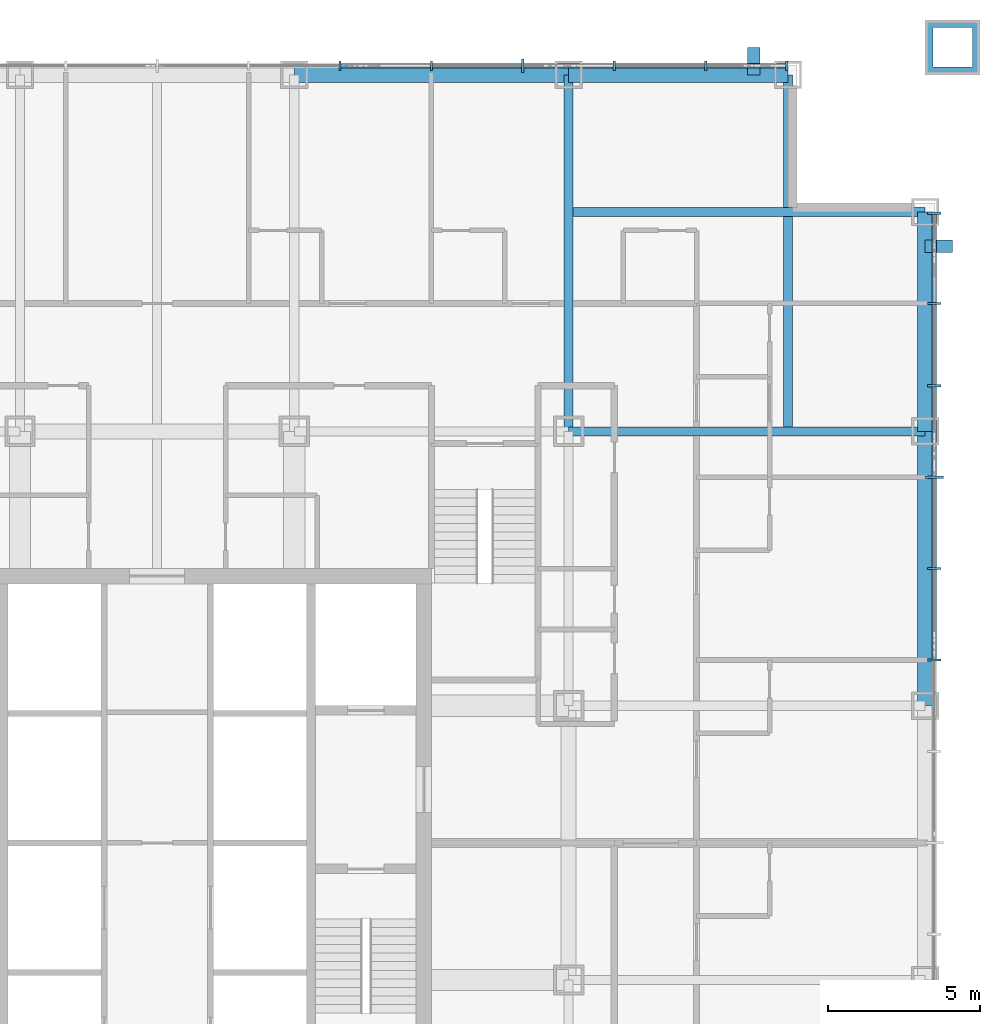
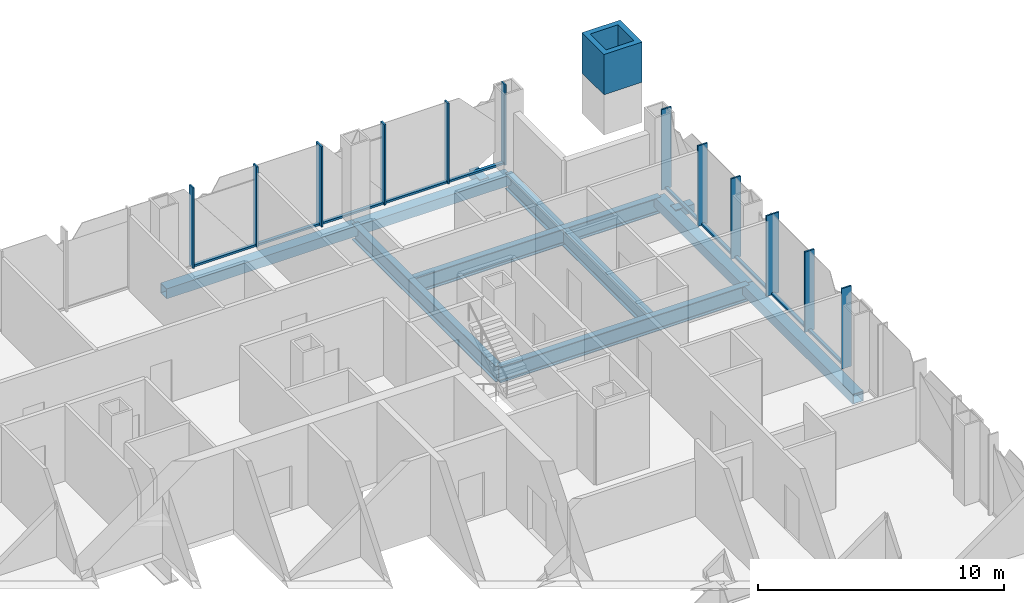
# One storey, part 5 of 23: 25 members, 8 beams, 2 elements without a shape of their own.
"""IFC4 building model written with IfcOpenShell, lengths in metres."""

import ifcopenshell
import ifcopenshell.guid

model = None  # the IFC model being written
_history = None  # IfcOwnerHistory: only IFC2X3 demands one
_inside = {}  # id of a spatial element -> (the spatial element, [elements in it])
_under = {}  # id of a project, library or spatial element -> (it, [spatial elements below it])
_declared = {}  # id of a project -> (the project, [libraries it declares])
_typed = {}  # id of a type object -> (the type object, [elements of that type])
_made_of = {}  # id of a material, layer set ... -> (it, [elements and type objects made of it])


def new_model(schema):
    """Start an empty IFC model of exactly this schema.

    Asked for "IFC4X3", IfcOpenShell would pick the latest addendum, in which some entities
    have other attributes; the version numbers below select the first issue.
    IFC2X3 requires an IfcOwnerHistory on every rooted entity: one is made here for all.
    """
    global model, _history
    if schema == "IFC4X3":
        model = ifcopenshell.file(schema_version=(4, 3, 0, 0))
    else:
        model = ifcopenshell.file(schema=schema)
    _inside.clear()
    _under.clear()
    _declared.clear()
    _typed.clear()
    _made_of.clear()
    _history = None
    if model.schema == "IFC2X3":
        org = make("IfcOrganization", Name="unknown")
        user = make(
            "IfcPersonAndOrganization",
            ThePerson=make("IfcPerson", FamilyName="unknown"),
            TheOrganization=org,
        )
        app = make(
            "IfcApplication",
            ApplicationDeveloper=org,
            Version="unknown",
            ApplicationFullName="unknown",
            ApplicationIdentifier="unknown",
        )
        _history = make(
            "IfcOwnerHistory",
            OwningUser=user,
            OwningApplication=app,
            ChangeAction="ADDED",
            CreationDate=0,
        )
    return model


def make(cls, **values):
    """One entity of the class cls with the attributes given. An attribute that is None is left unset."""
    return model.create_entity(
        cls, **{name: value for name, value in values.items() if value is not None}
    )


def rooted(cls, **values):
    """An entity with a GlobalId (a new one), such as an element, a storey or a relation."""
    return make(cls, GlobalId=ifcopenshell.guid.new(), OwnerHistory=_history, **values)


def si_unit(unit_type, name, prefix=None):
    """IfcSIUnit, for example si_unit("LENGTHUNIT", "METRE", prefix="MILLI")."""
    return make("IfcSIUnit", UnitType=unit_type, Prefix=prefix, Name=name)


def assignment(units):
    """IfcUnitAssignment: the units of a project."""
    return None if units is None else make("IfcUnitAssignment", Units=units)


def point(xyz):
    """IfcCartesianPoint."""
    return None if xyz is None else make("IfcCartesianPoint", Coordinates=xyz)


def direction(xyz):
    """IfcDirection."""
    return None if xyz is None else make("IfcDirection", DirectionRatios=xyz)


def frame(location, z_axis=None, x_axis=None):
    """IfcAxis2Placement3D, a coordinate frame: its origin and axes. An axis left out is left unset."""
    return make(
        "IfcAxis2Placement3D",
        Location=point(location),
        Axis=direction(z_axis),
        RefDirection=direction(x_axis),
    )


def frame_2d(location, x_axis=None):
    """IfcAxis2Placement2D, a coordinate frame in the plane: its origin and x axis."""
    return make(
        "IfcAxis2Placement2D", Location=point(location), RefDirection=direction(x_axis)
    )


def origin():
    """The frame at (0, 0, 0) with its axes left unset."""
    return frame((0.0, 0.0, 0.0))


def origin_2d():
    """The frame at (0, 0) in the plane with its x axis left unset."""
    return frame_2d((0.0, 0.0))


def place(relative_to, where):
    """IfcLocalPlacement: puts the frame where relative to a parent placement (None: the world)."""
    return make(
        "IfcLocalPlacement", PlacementRelTo=relative_to, RelativePlacement=where
    )


def context(
    kind, dimensions, precision=None, world=None, true_north=None, identifier=None
):
    """IfcGeometricRepresentationContext, for example the 3D "Model" context."""
    return make(
        "IfcGeometricRepresentationContext",
        ContextIdentifier=identifier,
        ContextType=kind,
        CoordinateSpaceDimension=dimensions,
        Precision=precision,
        WorldCoordinateSystem=world,
        TrueNorth=true_north,
    )


def subcontext(parent, identifier, kind, view, scale=None):
    """IfcGeometricRepresentationSubContext, for example "Body" below "Model"."""
    return make(
        "IfcGeometricRepresentationSubContext",
        ContextIdentifier=identifier,
        ContextType=kind,
        ParentContext=parent,
        TargetScale=scale,
        TargetView=view,
    )


def project(units=None, contexts=None):
    """IfcProject with its units and contexts."""
    return rooted(
        "IfcProject",
        Name="project",
        RepresentationContexts=contexts,
        UnitsInContext=assignment(units),
    )


def spatial(cls, under=None, at=None, **own):
    """A site, building, storey or space (cls), placed at a placement, below another one or the project."""
    s = rooted(cls, ObjectPlacement=at, **own)
    if under is not None:
        _under.setdefault(under.id(), (under, []))[1].append(s)
    return s


def profile(cls, at=None, kind="AREA", **sizes):
    """A parametric profile (cls). Its sizes go by their IFC names, for example OverallWidth=200.0."""
    return make(cls, ProfileType=kind, Position=at, **sizes)


def rectangle(**sizes):
    """IfcRectangleProfileDef."""
    return profile("IfcRectangleProfileDef", **sizes)


def hollow_rectangle(**sizes):
    """IfcRectangleHollowProfileDef."""
    return profile("IfcRectangleHollowProfileDef", **sizes)


def i_section(**sizes):
    """IfcIShapeProfileDef."""
    return profile("IfcIShapeProfileDef", **sizes)


def extrude(swept, where, along, depth):
    """IfcExtrudedAreaSolid: the profile swept, set in the frame where, extruded along a direction by depth."""
    return make(
        "IfcExtrudedAreaSolid",
        SweptArea=swept,
        Position=where,
        ExtrudedDirection=direction(along),
        Depth=depth,
    )


def shape(context_of_items, identifier, shape_type, items):
    """IfcShapeRepresentation: the items that make up one representation, for example the "Body"."""
    return make(
        "IfcShapeRepresentation",
        ContextOfItems=context_of_items,
        RepresentationIdentifier=identifier,
        RepresentationType=shape_type,
        Items=items,
    )


def material(Name=None, Category=None):
    """IfcMaterial."""
    return make("IfcMaterial", Name=Name, Category=Category)


def layer(
    of_material, thickness, ventilated=None, Name=None, Category=None, Priority=None
):
    """IfcMaterialLayer: one layer of a wall or slab, of a material (None: an air gap)."""
    return make(
        "IfcMaterialLayer",
        Material=of_material,
        LayerThickness=thickness,
        IsVentilated=ventilated,
        Name=Name,
        Category=Category,
        Priority=Priority,
    )


def layer_set(layers, Name=None):
    """IfcMaterialLayerSet."""
    return make("IfcMaterialLayerSet", MaterialLayers=layers, LayerSetName=Name)


def material_profile(
    of_material, cross_section, Name=None, Category=None, Priority=None
):
    """IfcMaterialProfile: a cross section and its material."""
    return make(
        "IfcMaterialProfile",
        Name=Name,
        Material=of_material,
        Profile=cross_section,
        Priority=Priority,
        Category=Category,
    )


def profile_set(profiles, Name=None, composite=None):
    """IfcMaterialProfileSet."""
    return make(
        "IfcMaterialProfileSet",
        Name=Name,
        MaterialProfiles=profiles,
        CompositeProfile=composite,
    )


def made_of(thing, what):
    """Note that an element or type object is made of a material, layer set ...; save() writes the relation."""
    if what is not None:
        _made_of.setdefault(what.id(), (what, []))[1].append(thing)
    return thing


def type_object(cls, material=None, **own):
    """A type object (cls), such as IfcWallType, which elements share."""
    return made_of(rooted(cls, **own), material)


def element(
    cls,
    number,
    at=None,
    inside=None,
    cuts=None,
    type_object=None,
    material=None,
    context=None,
    identifier="Body",
    shape_type=None,
    held_by="IfcProductDefinitionShape",
    body=None,
    shapes=None,
    **own,
):
    """One element of the class cls, such as IfcWall. Its Tag is "e" and its number.

    at: its placement. inside: the storey or other place that contains it. cuts: it is an
    opening in that element (IfcRelVoidsElement). A single representation is given by context,
    identifier, shape_type and body (its items); several are given by shapes. held_by: the class
    of the entity that holds the representations. save() writes the other relations.
    """
    e = rooted(cls, Tag="e%d" % number, ObjectPlacement=at, **own)
    if body is not None:
        shapes = [shape(context, identifier, shape_type, body)]
    if shapes is not None:
        e.Representation = make(held_by, Representations=shapes)
    if inside is not None:
        _inside.setdefault(inside.id(), (inside, []))[1].append(e)
    if cuts is not None:
        rooted(
            "IfcRelVoidsElement", RelatingBuildingElement=cuts, RelatedOpeningElement=e
        )
    if type_object is not None:
        _typed.setdefault(type_object.id(), (type_object, []))[1].append(e)
    return made_of(e, material)


def aggregate(whole, parts):
    """IfcRelAggregates: a whole, such as a stair, and the parts it consists of."""
    return rooted("IfcRelAggregates", RelatingObject=whole, RelatedObjects=parts)


def save(model, path):
    """Write the relations noted so far, then the file.

    IfcRelAggregates (storeys below a building ...), IfcRelContainedInSpatialStructure (elements
    in a storey), IfcRelDefinesByType, IfcRelAssociatesMaterial and IfcRelDeclares: one each for
    every whole, place, type object, material and project.
    """
    for whole, parts in _under.values():
        aggregate(whole, parts)
    for where, things in _inside.values():
        rooted(
            "IfcRelContainedInSpatialStructure",
            RelatedElements=things,
            RelatingStructure=where,
        )
    for kind, things in _typed.values():
        rooted("IfcRelDefinesByType", RelatedObjects=things, RelatingType=kind)
    for what, things in _made_of.values():
        rooted("IfcRelAssociatesMaterial", RelatedObjects=things, RelatingMaterial=what)
    for by, libraries in _declared.values():
        rooted("IfcRelDeclares", RelatingContext=by, RelatedDefinitions=libraries)
    model.write(path)


model = new_model("IFC4")

# Units and contexts
model_context = context("Model", 3, precision=1e-05, world=origin(), true_north=direction((0.0, 1.0)))
body_context = subcontext(model_context, "Body", "Model", "MODEL_VIEW")
ifc_project = project(units=[si_unit("LENGTHUNIT", "METRE"), si_unit("AREAUNIT", "SQUARE_METRE"), si_unit("VOLUMEUNIT", "CUBIC_METRE"), si_unit("PLANEANGLEUNIT", "RADIAN"), si_unit("MASSUNIT", "GRAM", prefix="KILO")], contexts=[model_context])

# Site, building, storey
site_placement = place(None, origin())
site = spatial("IfcSite", under=ifc_project, at=site_placement, CompositionType="ELEMENT")
building_placement = place(site_placement, origin())
building = spatial("IfcBuilding", under=site, at=building_placement, Name="Malebo Sky Hospital", CompositionType="ELEMENT")
storey_placement = place(building_placement, frame((0.0, 0.0, 91.0)))
storey = spatial("IfcBuildingStorey", under=building, at=storey_placement, Name="L21", CompositionType="ELEMENT", Elevation=91.0)

# Curtain wall, members
ifc_material_1 = material(Name="Anodised aluminium, natural silver", Category="aluminium")
ifc_layer_1 = layer(ifc_material_1, 0.25)
ifc_layer_set_1 = layer_set([ifc_layer_1], Name="WARD CURTAIN WALL NORTH AND SOUTH")
curtain_wall_type_1 = type_object("IfcCurtainWallType", Name="WARD CURTAIN WALL NORTH AND SOUTH", PredefinedType="NOTDEFINED", material=ifc_layer_set_1)
curtain_wall_1_placement = place(storey_placement, origin())
curtain_wall_1 = element("IfcCurtainWall", 1, at=curtain_wall_1_placement, inside=storey, type_object=curtain_wall_type_1, Name="NS curtain wall N", PredefinedType="NOTDEFINED")
ifc_material_profile_1 = material_profile(ifc_material_1, rectangle(XDim=0.14990234375, YDim=0.10009765625, at=origin_2d()), Name="ALUMINIUM TRANSOM 150x100")
ifc_profile_set_1 = profile_set([ifc_material_profile_1], Name="Anodised aluminium, natural silver")
member_type_1 = type_object("IfcMemberType", Name="ALUMINIUM TRANSOM 150x100", PredefinedType="USERDEFINED", material=ifc_profile_set_1)
member_1_placement = place(storey_placement, frame((66.03759765625, 87.5, 0.050048828125), z_axis=(1.0, 0.0, 0.0), x_axis=(0.0, 1.0, 0.0)))
member_1 = element("IfcMember", 2, at=member_1_placement, type_object=member_type_1, Name="Transom 10", ObjectType="TRANSOM", PredefinedType="USERDEFINED", context=body_context, shape_type="SweptSolid", body=[
    extrude(rectangle(XDim=0.14990234375, YDim=0.10009765625, at=origin_2d()), origin(), (0.0, 0.0, 1.0), 2.9248046875),
])
member_2_placement = place(storey_placement, frame((69.03759765625, 87.5, 0.050048828125), z_axis=(1.0, 0.0, 0.0), x_axis=(0.0, 1.0, 0.0)))
member_2 = element("IfcMember", 3, at=member_2_placement, type_object=member_type_1, Name="Transom 11", ObjectType="TRANSOM", PredefinedType="USERDEFINED", context=body_context, shape_type="SweptSolid", body=[
    extrude(rectangle(XDim=0.14990234375, YDim=0.10009765625, at=origin_2d()), origin(), (0.0, 0.0, 1.0), 2.9248046875),
])
member_3_placement = place(storey_placement, frame((72.03759765625, 87.5, 0.050048828125), z_axis=(1.0, 0.0, 0.0), x_axis=(0.0, 1.0, 0.0)))
member_3 = element("IfcMember", 4, at=member_3_placement, type_object=member_type_1, Name="Transom 12", ObjectType="TRANSOM", PredefinedType="USERDEFINED", context=body_context, shape_type="SweptSolid", body=[
    extrude(rectangle(XDim=0.14990234375, YDim=0.10009765625, at=origin_2d()), origin(), (0.0, 0.0, 1.0), 2.9248046875),
])
member_4_placement = place(storey_placement, frame((75.03759765625, 87.5, 0.050048828125), z_axis=(1.0, 0.0, 0.0), x_axis=(0.0, 1.0, 0.0)))
member_4 = element("IfcMember", 5, at=member_4_placement, type_object=member_type_1, Name="Transom 13", ObjectType="TRANSOM", PredefinedType="USERDEFINED", context=body_context, shape_type="SweptSolid", body=[
    extrude(rectangle(XDim=0.14990234375, YDim=0.10009765625, at=origin_2d()), origin(), (0.0, 0.0, 1.0), 2.9248046875),
])
member_5_placement = place(storey_placement, frame((78.03759765625, 87.5, 0.050048828125), z_axis=(1.0, 0.0, 0.0), x_axis=(0.0, 1.0, 0.0)))
member_5 = element("IfcMember", 6, at=member_5_placement, type_object=member_type_1, Name="Transom 14", ObjectType="TRANSOM", PredefinedType="USERDEFINED", context=body_context, shape_type="SweptSolid", body=[
    extrude(rectangle(XDim=0.14990234375, YDim=0.10009765625, at=origin_2d()), origin(), (0.0, 0.0, 1.0), 2.58740234375),
])

ifc_layer_2 = layer(ifc_material_1, 0.25)
ifc_layer_set_2 = layer_set([ifc_layer_2], Name="WARD CURTAIN WALL EAST AND WEST")
curtain_wall_type_2 = type_object("IfcCurtainWallType", Name="WARD CURTAIN WALL EAST AND WEST", PredefinedType="NOTDEFINED", material=ifc_layer_set_2)
curtain_wall_2_placement = place(storey_placement, origin())
curtain_wall_2 = element("IfcCurtainWall", 7, at=curtain_wall_2_placement, inside=storey, type_object=curtain_wall_type_2, Name="EW curtain wall E", PredefinedType="NOTDEFINED")
member_6_placement = place(storey_placement, frame((85.5, 82.625, 0.050048828125), z_axis=(0.0, -1.0, 0.0), x_axis=(1.0, 0.0, 0.0)))
member_6 = element("IfcMember", 8, at=member_6_placement, type_object=member_type_1, Name="Transom 1", ObjectType="TRANSOM", PredefinedType="USERDEFINED", context=body_context, shape_type="SweptSolid", body=[
    extrude(rectangle(XDim=0.14990234375, YDim=0.10009765625, at=origin_2d()), origin(), (0.0, 0.0, 1.0), 2.887451171875),
])
member_7_placement = place(storey_placement, frame((85.5, 79.66259765625, 0.050048828125), z_axis=(0.0, -1.0, 0.0), x_axis=(1.0, 0.0, 0.0)))
member_7 = element("IfcMember", 9, at=member_7_placement, type_object=member_type_1, Name="Transom 2", ObjectType="TRANSOM", PredefinedType="USERDEFINED", context=body_context, shape_type="SweptSolid", body=[
    extrude(rectangle(XDim=0.14990234375, YDim=0.10009765625, at=origin_2d()), origin(), (0.0, 0.0, 1.0), 2.625),
])
member_8_placement = place(storey_placement, frame((85.5, 76.96240234375, 0.050048828125), z_axis=(0.0, -1.0, 0.0), x_axis=(1.0, 0.0, 0.0)))
member_8 = element("IfcMember", 10, at=member_8_placement, type_object=member_type_1, Name="Transom 3", ObjectType="TRANSOM", PredefinedType="USERDEFINED", context=body_context, shape_type="SweptSolid", body=[
    extrude(rectangle(XDim=0.14990234375, YDim=0.10009765625, at=origin_2d()), origin(), (0.0, 0.0, 1.0), 2.9248046875),
])
member_9_placement = place(storey_placement, frame((85.5, 73.96240234375, 0.050048828125), z_axis=(0.0, -1.0, 0.0), x_axis=(1.0, 0.0, 0.0)))
member_9 = element("IfcMember", 11, at=member_9_placement, type_object=member_type_1, Name="Transom 4", ObjectType="TRANSOM", PredefinedType="USERDEFINED", context=body_context, shape_type="SweptSolid", body=[
    extrude(rectangle(XDim=0.14990234375, YDim=0.10009765625, at=origin_2d()), origin(), (0.0, 0.0, 1.0), 2.9248046875),
])
member_10_placement = place(storey_placement, frame((85.5, 70.96240234375, 0.050048828125), z_axis=(0.0, -1.0, 0.0), x_axis=(1.0, 0.0, 0.0)))
member_10 = element("IfcMember", 12, at=member_10_placement, type_object=member_type_1, Name="Transom 5", ObjectType="TRANSOM", PredefinedType="USERDEFINED", context=body_context, shape_type="SweptSolid", body=[
    extrude(rectangle(XDim=0.14990234375, YDim=0.10009765625, at=origin_2d()), origin(), (0.0, 0.0, 1.0), 2.9248046875),
])

# Members
ifc_material_2 = material(Name="Steel S355", Category="steel")
ifc_material_profile_2 = material_profile(ifc_material_2, hollow_rectangle(XDim=0.39990234375, YDim=0.39990234375, WallThickness=0.02001953125, at=origin_2d()), Name="SHS 400x20")
ifc_profile_set_2 = profile_set([ifc_material_profile_2], Name="Steel S355")
member_type_2 = type_object("IfcMemberType", Name="BRACE STRUT SHS 400x20", PredefinedType="STRUT", material=ifc_profile_set_2)
for number, where, z_axis, x_axis, name in (
    (13, (79.574951171875, 88.10009765625, -0.39990234375), (0.0, -1.0, 0.0), (1.0, 0.0, 0.0), "Brace strut AN2 L21"),
    (14, (86.10009765625, 81.574951171875, -0.39990234375), (-1.0, 0.0, 0.0), (0.0, -1.0, 0.0), "Brace strut AE1 L21"),
):
    element("IfcMember", number, at=place(storey_placement, frame(where, z_axis=z_axis, x_axis=x_axis)), inside=storey, type_object=member_type_2, Name=name, PredefinedType="STRUT", context=body_context, shape_type="SweptSolid", body=[
        extrude(hollow_rectangle(XDim=0.39990234375, YDim=0.39990234375, WallThickness=0.02001953125, at=origin_2d()), origin(), (0.0, 0.0, 1.0), 0.900146484375),
    ])

# Member
ifc_material_profile_3 = material_profile(ifc_material_1, rectangle(XDim=0.074951171875, YDim=0.300048828125, at=origin_2d()), Name="CW1 ALUMINIUM FIN MULLION 75x300")
ifc_profile_set_3 = profile_set([ifc_material_profile_3], Name="Anodised aluminium, natural silver")
member_type_3 = type_object("IfcMemberType", Name="CW1 ALUMINIUM FIN MULLION 75x300", PredefinedType="MULLION", material=ifc_profile_set_3)
member_11_placement = place(storey_placement, frame((66.0, 87.5, 0.0), z_axis=(0.0, 0.0, 1.0), x_axis=(1.0, 0.0, 0.0)))
member_11 = element("IfcMember", 15, at=member_11_placement, type_object=member_type_3, Name="Fin mullion 10", PredefinedType="MULLION", context=body_context, shape_type="SweptSolid", body=[
    extrude(rectangle(XDim=0.074951171875, YDim=0.300048828125, at=origin_2d()), origin(), (0.0, 0.0, 1.0), 4.0),
])

member_12_placement = place(storey_placement, frame((69.0, 87.5, 0.0), z_axis=(0.0, 0.0, 1.0), x_axis=(1.0, 0.0, 0.0)))
member_12 = element("IfcMember", 16, at=member_12_placement, type_object=member_type_3, Name="Fin mullion 11", PredefinedType="MULLION", context=body_context, shape_type="SweptSolid", body=[
    extrude(rectangle(XDim=0.074951171875, YDim=0.300048828125, at=origin_2d()), origin(), (0.0, 0.0, 1.0), 4.0),
])

member_13_placement = place(storey_placement, frame((75.0, 87.5, 0.0), z_axis=(0.0, 0.0, 1.0), x_axis=(1.0, 0.0, 0.0)))
member_13 = element("IfcMember", 17, at=member_13_placement, type_object=member_type_3, Name="Fin mullion 13", PredefinedType="MULLION", context=body_context, shape_type="SweptSolid", body=[
    extrude(rectangle(XDim=0.074951171875, YDim=0.300048828125, at=origin_2d()), origin(), (0.0, 0.0, 1.0), 4.0),
])

member_14_placement = place(storey_placement, frame((78.0, 87.5, 0.0), z_axis=(0.0, 0.0, 1.0), x_axis=(1.0, 0.0, 0.0)))
member_14 = element("IfcMember", 18, at=member_14_placement, type_object=member_type_3, Name="Fin mullion 14", PredefinedType="MULLION", context=body_context, shape_type="SweptSolid", body=[
    extrude(rectangle(XDim=0.074951171875, YDim=0.300048828125, at=origin_2d()), origin(), (0.0, 0.0, 1.0), 4.0),
])

member_15_placement = place(storey_placement, frame((80.66259765625, 87.5, 0.0), z_axis=(0.0, 0.0, 1.0), x_axis=(1.0, 0.0, 0.0)))
member_15 = element("IfcMember", 19, at=member_15_placement, type_object=member_type_3, Name="Fin mullion 15", PredefinedType="MULLION", context=body_context, shape_type="SweptSolid", body=[
    extrude(rectangle(XDim=0.074951171875, YDim=0.300048828125, at=origin_2d()), origin(), (0.0, 0.0, 1.0), 4.0),
])

ifc_material_profile_4 = material_profile(ifc_material_1, rectangle(XDim=0.074951171875, YDim=0.449951171875, at=origin_2d()), Name="CW1 ALUMINIUM FIN MULLION 75x450")
ifc_profile_set_4 = profile_set([ifc_material_profile_4], Name="Anodised aluminium, natural silver")
member_type_4 = type_object("IfcMemberType", Name="CW1 ALUMINIUM FIN MULLION 75x450", PredefinedType="MULLION", material=ifc_profile_set_4)
member_16_placement = place(storey_placement, frame((72.0, 87.5, 0.0), z_axis=(0.0, 0.0, 1.0), x_axis=(1.0, 0.0, 0.0)))
member_16 = element("IfcMember", 20, at=member_16_placement, type_object=member_type_4, Name="Fin mullion 12", PredefinedType="MULLION", context=body_context, shape_type="SweptSolid", body=[
    extrude(rectangle(XDim=0.074951171875, YDim=0.449951171875, at=origin_2d()), origin(), (0.0, 0.0, 1.0), 4.0),
])

aggregate(curtain_wall_1, [member_11, member_12, member_16, member_13, member_14, member_15, member_1, member_2, member_3, member_4, member_5])

ifc_material_profile_5 = material_profile(ifc_material_1, rectangle(XDim=0.074951171875, YDim=0.449951171875, at=origin_2d()), Name="CW2 ALUMINIUM FIN MULLION 75x450")
ifc_profile_set_5 = profile_set([ifc_material_profile_5], Name="Anodised aluminium, natural silver")
member_type_5 = type_object("IfcMemberType", Name="CW2 ALUMINIUM FIN MULLION 75x450", PredefinedType="MULLION", material=ifc_profile_set_5)
member_17_placement = place(storey_placement, frame((85.5, 82.66259765625, 0.0), z_axis=(0.0, 0.0, 1.0), x_axis=(0.0, -1.0, 0.0)))
member_17 = element("IfcMember", 21, at=member_17_placement, type_object=member_type_5, Name="Fin mullion 1", PredefinedType="MULLION", context=body_context, shape_type="SweptSolid", body=[
    extrude(rectangle(XDim=0.074951171875, YDim=0.449951171875, at=origin_2d()), origin(), (0.0, 0.0, 1.0), 4.0),
])

member_18_placement = place(storey_placement, frame((85.5, 79.699951171875, 0.0), z_axis=(0.0, 0.0, 1.0), x_axis=(0.0, -1.0, 0.0)))
member_18 = element("IfcMember", 22, at=member_18_placement, type_object=member_type_5, Name="Fin mullion 2", PredefinedType="MULLION", context=body_context, shape_type="SweptSolid", body=[
    extrude(rectangle(XDim=0.074951171875, YDim=0.449951171875, at=origin_2d()), origin(), (0.0, 0.0, 1.0), 4.0),
])

member_19_placement = place(storey_placement, frame((85.5, 77.0, 0.0), z_axis=(0.0, 0.0, 1.0), x_axis=(0.0, -1.0, 0.0)))
member_19 = element("IfcMember", 23, at=member_19_placement, type_object=member_type_5, Name="Fin mullion 3", PredefinedType="MULLION", context=body_context, shape_type="SweptSolid", body=[
    extrude(rectangle(XDim=0.074951171875, YDim=0.449951171875, at=origin_2d()), origin(), (0.0, 0.0, 1.0), 4.0),
])

member_20_placement = place(storey_placement, frame((85.5, 71.0, 0.0), z_axis=(0.0, 0.0, 1.0), x_axis=(0.0, -1.0, 0.0)))
member_20 = element("IfcMember", 24, at=member_20_placement, type_object=member_type_5, Name="Fin mullion 5", PredefinedType="MULLION", context=body_context, shape_type="SweptSolid", body=[
    extrude(rectangle(XDim=0.074951171875, YDim=0.449951171875, at=origin_2d()), origin(), (0.0, 0.0, 1.0), 4.0),
])

member_21_placement = place(storey_placement, frame((85.5, 68.0, 0.0), z_axis=(0.0, 0.0, 1.0), x_axis=(0.0, -1.0, 0.0)))
member_21 = element("IfcMember", 25, at=member_21_placement, type_object=member_type_5, Name="Fin mullion 6", PredefinedType="MULLION", context=body_context, shape_type="SweptSolid", body=[
    extrude(rectangle(XDim=0.074951171875, YDim=0.449951171875, at=origin_2d()), origin(), (0.0, 0.0, 1.0), 4.0),
])

ifc_material_profile_6 = material_profile(ifc_material_1, rectangle(XDim=0.074951171875, YDim=0.60009765625, at=origin_2d()), Name="CW2 ALUMINIUM FIN MULLION 75x600")
ifc_profile_set_6 = profile_set([ifc_material_profile_6], Name="Anodised aluminium, natural silver")
member_type_6 = type_object("IfcMemberType", Name="CW2 ALUMINIUM FIN MULLION 75x600", PredefinedType="MULLION", material=ifc_profile_set_6)
member_22_placement = place(storey_placement, frame((85.5, 74.0, 0.0), z_axis=(0.0, 0.0, 1.0), x_axis=(0.0, -1.0, 0.0)))
member_22 = element("IfcMember", 26, at=member_22_placement, type_object=member_type_6, Name="Fin mullion 4", PredefinedType="MULLION", context=body_context, shape_type="SweptSolid", body=[
    extrude(rectangle(XDim=0.074951171875, YDim=0.60009765625, at=origin_2d()), origin(), (0.0, 0.0, 1.0), 4.0),
])

aggregate(curtain_wall_2, [member_17, member_18, member_19, member_22, member_20, member_21, member_6, member_7, member_8, member_9, member_10])

# Beams
ifc_material_3 = material(Name="Steel S460", Category="steel")
ifc_material_profile_7 = material_profile(ifc_material_3, hollow_rectangle(XDim=0.5, YDim=0.5, WallThickness=0.030029296875, at=origin_2d()), Name="BOX 500x500x30")
ifc_profile_set_7 = profile_set([ifc_material_profile_7], Name="Steel S460")
beam_type_1 = type_object("IfcBeamType", Name="EDGE BEAM BOX 500x500x30", PredefinedType="BEAM", material=ifc_profile_set_7)
beam_1_placement = place(storey_placement, frame((85.199951171875, 66.5, -0.5), z_axis=(0.0, 1.0, 0.0), x_axis=(-1.0, 0.0, 0.0)))
element("IfcBeam", 27, at=beam_1_placement, inside=storey, type_object=beam_type_1, Name="Beam 032 L21", PredefinedType="BEAM", context=body_context, shape_type="SweptSolid", body=[
    extrude(hollow_rectangle(XDim=0.5, YDim=0.5, WallThickness=0.030029296875, at=origin_2d()), origin(), (0.0, 0.0, 1.0), 9.0),
])
beam_2_placement = place(storey_placement, frame((85.199951171875, 75.5, -0.5), z_axis=(0.0, 1.0, 0.0), x_axis=(-1.0, 0.0, 0.0)))
element("IfcBeam", 28, at=beam_2_placement, inside=storey, type_object=beam_type_1, Name="Beam 033 L21", PredefinedType="BEAM", context=body_context, shape_type="SweptSolid", body=[
    extrude(hollow_rectangle(XDim=0.5, YDim=0.5, WallThickness=0.030029296875, at=origin_2d()), origin(), (0.0, 0.0, 1.0), 7.199951171875),
])
beam_3_placement = place(storey_placement, frame((64.5, 87.199951171875, -0.5), z_axis=(1.0, 0.0, 0.0), x_axis=(0.0, 1.0, 0.0)))
element("IfcBeam", 29, at=beam_3_placement, inside=storey, type_object=beam_type_1, Name="Beam 066 L21", PredefinedType="BEAM", context=body_context, shape_type="SweptSolid", body=[
    extrude(hollow_rectangle(XDim=0.5, YDim=0.5, WallThickness=0.030029296875, at=origin_2d()), origin(), (0.0, 0.0, 1.0), 9.0),
])
beam_4_placement = place(storey_placement, frame((73.5, 87.199951171875, -0.5), z_axis=(1.0, 0.0, 0.0), x_axis=(0.0, 1.0, 0.0)))
element("IfcBeam", 30, at=beam_4_placement, inside=storey, type_object=beam_type_1, Name="Beam 067 L21", PredefinedType="BEAM", context=body_context, shape_type="SweptSolid", body=[
    extrude(hollow_rectangle(XDim=0.5, YDim=0.5, WallThickness=0.030029296875, at=origin_2d()), origin(), (0.0, 0.0, 1.0), 7.199951171875),
])
ifc_material_profile_8 = material_profile(ifc_material_2, i_section(OverallWidth=0.300048828125, OverallDepth=0.800048828125, WebThickness=0.017578125, FlangeThickness=0.032958984375, FilletRadius=0.030029296875, at=origin_2d()), Name="HEB 800")
ifc_profile_set_8 = profile_set([ifc_material_profile_8], Name="Steel S355")
beam_type_2 = type_object("IfcBeamType", Name="FLOOR BEAM HEB 800", PredefinedType="BEAM", material=ifc_profile_set_8)
for number, where, z_axis, x_axis, name in (
    (31, (80.699951171875, 75.5, -0.64990234375), (0.0, 1.0, 0.0), (-1.0, 0.0, 0.0), "Beam 028 L21"),
    (32, (73.5, 82.699951171875, -0.64990234375), (1.0, 0.0, 0.0), (0.0, 1.0, 0.0), "Beam 062 L21"),
):
    element("IfcBeam", number, at=place(storey_placement, frame(where, z_axis=z_axis, x_axis=x_axis)), inside=storey, type_object=beam_type_2, Name=name, PredefinedType="BEAM", context=body_context, shape_type="SweptSolid", body=[
        extrude(i_section(OverallWidth=0.300048828125, OverallDepth=0.800048828125, WebThickness=0.017578125, FlangeThickness=0.032958984375, FilletRadius=0.030029296875, at=origin_2d()), origin(), (0.0, 0.0, 1.0), 11.699951171875),
    ])
ifc_material_profile_9 = material_profile(ifc_material_2, i_section(OverallWidth=0.300048828125, OverallDepth=0.800048828125, WebThickness=0.017578125, FlangeThickness=0.032958984375, FilletRadius=0.030029296875, at=origin_2d()), Name="HEB 800")
ifc_profile_set_9 = profile_set([ifc_material_profile_9], Name="Steel S355")
beam_type_3 = type_object("IfcBeamType", Name="FLOOR GIRDER HEB 800", PredefinedType="BEAM", material=ifc_profile_set_9)
for number, where, z_axis, x_axis, name in (
    (33, (73.5, 75.5, -0.64990234375), (0.0, 1.0, 0.0), (-1.0, 0.0, 0.0), "Beam 026 L21"),
    (34, (73.5, 75.5, -0.64990234375), (1.0, 0.0, 0.0), (0.0, 1.0, 0.0), "Beam 060 L21"),
):
    element("IfcBeam", number, at=place(storey_placement, frame(where, z_axis=z_axis, x_axis=x_axis)), inside=storey, type_object=beam_type_3, Name=name, PredefinedType="BEAM", context=body_context, shape_type="SweptSolid", body=[
        extrude(i_section(OverallWidth=0.300048828125, OverallDepth=0.800048828125, WebThickness=0.017578125, FlangeThickness=0.032958984375, FilletRadius=0.030029296875, at=origin_2d()), origin(), (0.0, 0.0, 1.0), 11.699951171875),
    ])

# Member
ifc_material_profile_10 = material_profile(ifc_material_3, hollow_rectangle(XDim=1.800048828125, YDim=1.800048828125, WallThickness=0.25, at=origin_2d()), Name="BOX 1800x1800x250")
ifc_profile_set_10 = profile_set([ifc_material_profile_10], Name="Steel S460")
member_type_7 = type_object("IfcMemberType", Name="MEGA COLUMN NODE BOX 1800x1800x250", PredefinedType="MEMBER", material=ifc_profile_set_10)
member_23_placement = place(storey_placement, frame((86.10009765625, 88.10009765625, 2.0), z_axis=(0.0, 0.0, 1.0), x_axis=(1.0, 0.0, 0.0)))
element("IfcMember", 35, at=member_23_placement, inside=storey, type_object=member_type_7, Name="Mega column node NE L21", PredefinedType="MEMBER", context=body_context, shape_type="SweptSolid", body=[
    extrude(hollow_rectangle(XDim=1.800048828125, YDim=1.800048828125, WallThickness=0.25, at=origin_2d()), origin(), (0.0, 0.0, 1.0), 2.0),
])

save(model, "model.ifc")
